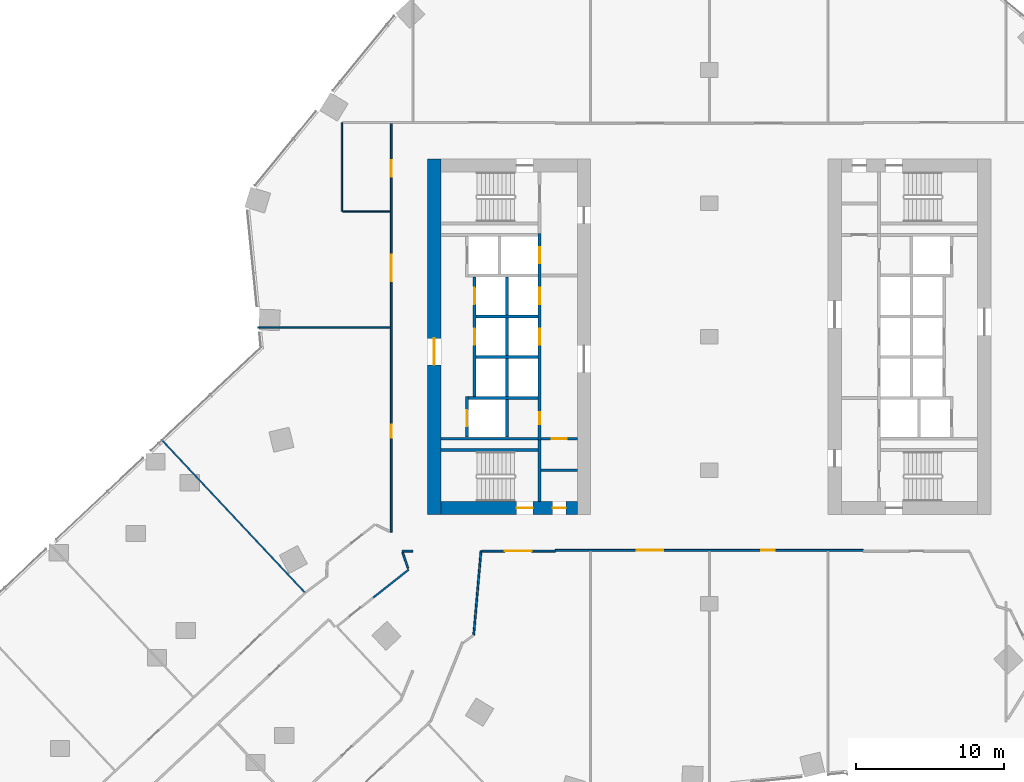
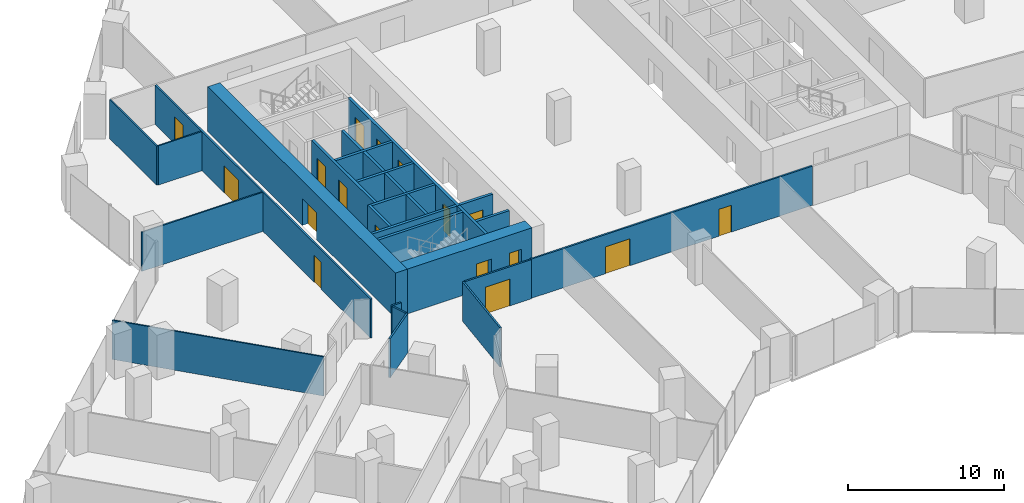
# One storey, part 28 of 34: 28 walls, 17 doors, 17 openings.
"""IFC4 building model written with IfcOpenShell, lengths in metres."""

from ifc_helpers import new_model, si_unit, direction, frame, frame_2d, origin, place, context, subcontext, project, spatial, rectangle, extrude, material, layer, layer_set, type_object, element, fill, save


model = new_model("IFC4")

# Units and contexts
model_context = context("Model", 3, precision=1e-05, world=origin(), true_north=direction((0.0, 1.0)))
body_context = subcontext(model_context, "Body", "Model", "MODEL_VIEW")
ifc_project = project(units=[si_unit("LENGTHUNIT", "METRE"), si_unit("AREAUNIT", "SQUARE_METRE"), si_unit("VOLUMEUNIT", "CUBIC_METRE"), si_unit("PLANEANGLEUNIT", "RADIAN"), si_unit("MASSUNIT", "GRAM", prefix="KILO")], contexts=[model_context])

# Site, building, storey
site_placement = place(None, origin())
site = spatial("IfcSite", under=ifc_project, at=site_placement, CompositionType="ELEMENT")
building_placement = place(site_placement, origin())
building = spatial("IfcBuilding", under=site, at=building_placement, Name="Orlundy Tower", CompositionType="ELEMENT")
storey_placement = place(building_placement, frame((0.0, 0.0, 40.800048828125)))
storey = spatial("IfcBuildingStorey", under=building, at=storey_placement, Name="L08", CompositionType="ELEMENT", Elevation=40.800048828125)

# Wall, openings, doors
ifc_material_1 = material(Name="Concrete C80/95", Category="concrete")
ifc_layer_1 = layer(ifc_material_1, 0.89990234375)
ifc_layer_set_1 = layer_set([ifc_layer_1], Name="CORE WALL 900 C80/95")
wall_type_1 = type_object("IfcWallType", Name="CORE WALL 900 C80/95", PredefinedType="SHEAR", material=ifc_layer_set_1)
wall_1_placement = place(storey_placement, frame((-18.10009765625, -11.550048828125, 0.0), z_axis=(0.0, 0.0, 1.0), x_axis=(1.0, 0.0, 0.0)))
wall_1 = element("IfcWall", 1, at=wall_1_placement, inside=storey, type_object=wall_type_1, Name="Core wall W-S L08", PredefinedType="SHEAR", context=body_context, shape_type="SweptSolid", body=[
    extrude(rectangle(XDim=9.2001953125, YDim=0.89990234375, at=frame_2d((4.60009765625, 0.0))), origin(), (0.0, 0.0, 1.0), 3.5),
])
opening_1_placement = place(wall_1_placement, frame((5.10009765625, 0.0, 0.0)))
opening_1 = element("IfcOpeningElement", 2, at=opening_1_placement, cuts=wall_1, Name="Opening 09013", PredefinedType="OPENING", context=body_context, shape_type="SweptSolid", body=[
    extrude(rectangle(XDim=1.10009765625, YDim=2.10009765625, at=frame_2d((0.550048828125, 1.050048828125))), frame((0.0, 0.4599609375, 0.0), z_axis=(0.0, -1.0, 0.0), x_axis=(1.0, 0.0, 0.0)), (0.0, 0.0, 1.0), 0.919921875),
])
opening_2_placement = place(wall_1_placement, frame((7.530029296875, 0.0, 0.0)))
opening_2 = element("IfcOpeningElement", 3, at=opening_2_placement, cuts=wall_1, Name="Opening 09015", PredefinedType="OPENING", context=body_context, shape_type="SweptSolid", body=[
    extrude(rectangle(XDim=0.89990234375, YDim=2.10009765625, at=frame_2d((0.449951171875, 1.050048828125))), frame((0.0, 0.4599609375, 0.0), z_axis=(0.0, -1.0, 0.0), x_axis=(1.0, 0.0, 0.0)), (0.0, 0.0, 1.0), 0.919921875),
])
ifc_material_2 = material(Name="Timber door set", Category="wood")
door_type_1 = type_object("IfcDoorType", Name="Room Door 900x2100", OperationType="SINGLE_SWING_LEFT", PredefinedType="DOOR", material=ifc_material_2)
door_1_placement = place(opening_2_placement, origin())
door_1 = element("IfcDoor", 4, at=door_1_placement, inside=storey, type_object=door_type_1, Name="Store door 09015", OperationType="SINGLE_SWING_RIGHT", OverallHeight=2.10009765625, OverallWidth=0.89990234375, PredefinedType="DOOR", context=body_context, shape_type="SweptSolid", body=[
    extrude(rectangle(XDim=0.89990234375, YDim=2.10009765625, at=frame_2d((0.449951171875, 1.050048828125))), frame((0.0, 0.02490234375, 0.0), z_axis=(0.0, -1.0, 0.0), x_axis=(1.0, 0.0, 0.0)), (0.0, 0.0, 1.0), 0.050048828125),
])
fill(opening_2, door_1)
ifc_material_3 = material(Name="Steel door set", Category="steel")
door_type_2 = type_object("IfcDoorType", Name="Stair Door 1100x2100", OperationType="SINGLE_SWING_LEFT", PredefinedType="DOOR", material=ifc_material_3)
door_2_placement = place(opening_1_placement, origin())
door_2 = element("IfcDoor", 5, at=door_2_placement, inside=storey, type_object=door_type_2, Name="Stair door 09013", OperationType="SINGLE_SWING_RIGHT", OverallHeight=2.10009765625, OverallWidth=1.10009765625, PredefinedType="DOOR", context=body_context, shape_type="SweptSolid", body=[
    extrude(rectangle(XDim=1.10009765625, YDim=2.10009765625, at=frame_2d((0.550048828125, 1.050048828125))), frame((0.0, 0.02490234375, 0.0), z_axis=(0.0, -1.0, 0.0), x_axis=(1.0, 0.0, 0.0)), (0.0, 0.0, 1.0), 0.050048828125),
])
fill(opening_1, door_2)

# Wall, opening, door
wall_2_placement = place(storey_placement, frame((-18.550048828125, -12.0, 0.0), z_axis=(0.0, 0.0, 1.0), x_axis=(0.0, 1.0, 0.0)))
wall_2 = element("IfcWall", 6, at=wall_2_placement, inside=storey, type_object=wall_type_1, Name="Core wall W-W L08", PredefinedType="SHEAR", context=body_context, shape_type="SweptSolid", body=[
    extrude(rectangle(XDim=24.0, YDim=0.89990234375, at=frame_2d((12.0, 0.0))), origin(), (0.0, 0.0, 1.0), 3.5),
])
opening_3_placement = place(wall_2_placement, frame((10.10009765625, 0.0, 0.0)))
opening_3 = element("IfcOpeningElement", 7, at=opening_3_placement, cuts=wall_2, Name="Opening 09010", PredefinedType="OPENING", context=body_context, shape_type="SweptSolid", body=[
    extrude(rectangle(XDim=1.800048828125, YDim=2.10009765625, at=frame_2d((0.89990234375, 1.050048828125))), frame((0.0, 0.4599609375, 0.0), z_axis=(0.0, -1.0, 0.0), x_axis=(1.0, 0.0, 0.0)), (0.0, 0.0, 1.0), 0.919921875),
])
ifc_material_4 = material(Name="Timber door set", Category="wood")
door_type_3 = type_object("IfcDoorType", Name="Lobby Door 1800x2100", OperationType="DOUBLE_DOOR_DOUBLE_SWING", PredefinedType="DOOR", material=ifc_material_4)
door_3_placement = place(opening_3_placement, origin())
door_3 = element("IfcDoor", 8, at=door_3_placement, inside=storey, type_object=door_type_3, Name="Lift lobby door 09010", OperationType="SINGLE_SWING_LEFT", OverallHeight=2.10009765625, OverallWidth=1.800048828125, PredefinedType="DOOR", context=body_context, shape_type="SweptSolid", body=[
    extrude(rectangle(XDim=1.800048828125, YDim=2.10009765625, at=frame_2d((0.89990234375, 1.050048828125))), frame((0.0, 0.02490234375, 0.0), z_axis=(0.0, -1.0, 0.0), x_axis=(1.0, 0.0, 0.0)), (0.0, 0.0, 1.0), 0.050048828125),
])
fill(opening_3, door_3)

# Walls
ifc_material_5 = material(Name="Gypsum board partition")
ifc_layer_2 = layer(ifc_material_5, 0.10009765625)
ifc_layer_set_2 = layer_set([ifc_layer_2], Name="Floor partition 100")
wall_type_2 = type_object("IfcWallType", Name="Floor partition 100", PredefinedType="PARTITIONING", material=ifc_layer_set_2)
wall_3_placement = place(storey_placement, frame((-36.969970703125, -6.912109375, 0.0), z_axis=(0.0, 0.0, 1.0), x_axis=(0.684148478852, -0.729342758163, 0.0)))
element("IfcWall", 9, at=wall_3_placement, inside=storey, type_object=wall_type_2, Name="wall-int-L08-016", PredefinedType="PARTITIONING", context=body_context, shape_type="SweptSolid", body=[
    extrude(rectangle(XDim=14.13720703125, YDim=0.10009765625, at=frame_2d((7.068603515625, 0.0))), origin(), (0.0, 0.0, 1.0), 3.06005859375),
])
wall_4_placement = place(storey_placement, frame((-30.4619140625, 0.635986328125, 0.0), z_axis=(0.0, 0.0, 1.0), x_axis=(1.0, 0.0, 0.0)))
element("IfcWall", 10, at=wall_4_placement, inside=storey, type_object=wall_type_2, Name="wall-int-L08-038", PredefinedType="PARTITIONING", context=body_context, shape_type="SweptSolid", body=[
    extrude(rectangle(XDim=8.949951171875, YDim=0.10009765625, at=frame_2d((4.47509765625, 0.0))), origin(), (0.0, 0.0, 1.0), 3.06005859375),
])
wall_5_placement = place(storey_placement, frame((-24.73193359375, 8.448974609375, 0.0), z_axis=(0.0, 0.0, 1.0), x_axis=(1.0, 0.0, 0.0)))
element("IfcWall", 11, at=wall_5_placement, inside=storey, type_object=wall_type_2, Name="wall-int-L08-040", PredefinedType="PARTITIONING", context=body_context, shape_type="SweptSolid", body=[
    extrude(rectangle(XDim=3.219970703125, YDim=0.10009765625, at=frame_2d((1.60986328125, 0.0))), origin(), (0.0, 0.0, 1.0), 3.06005859375),
])
wall_6_placement = place(storey_placement, frame((-24.781982421875, 8.448974609375, 0.0), z_axis=(0.0, 0.0, 1.0), x_axis=(0.0, 1.0, 0.0)))
element("IfcWall", 12, at=wall_6_placement, inside=storey, type_object=wall_type_2, Name="wall-int-L08-086", PredefinedType="PARTITIONING", context=body_context, shape_type="SweptSolid", body=[
    extrude(rectangle(XDim=6.0, YDim=0.10009765625, at=frame_2d((3.0, 0.0))), origin(), (0.0, 0.0, 1.0), 3.06005859375),
])
ifc_material_6 = material(Name="Gypsum board partition, double layer")
ifc_layer_3 = layer(ifc_material_6, 0.125)
ifc_layer_set_3 = layer_set([ifc_layer_3], Name="Floor partition 125")
wall_type_3 = type_object("IfcWallType", Name="Floor partition 125", PredefinedType="PARTITIONING", material=ifc_layer_set_3)
wall_7_placement = place(storey_placement, frame((-20.68408203125, -14.54296875, 0.0), z_axis=(0.0, 0.0, 1.0), x_axis=(0.32765097617, -0.944798834575, 0.0)))
element("IfcWall", 13, at=wall_7_placement, inside=storey, type_object=wall_type_3, Name="wall-int-L08-001", PredefinedType="PARTITIONING", context=body_context, shape_type="SweptSolid", body=[
    extrude(rectangle(XDim=1.132568359375, YDim=0.125, at=frame_2d((0.56640625, 0.0))), origin(), (0.0, 0.0, 1.0), 3.06005859375),
])
wall_8_placement = place(storey_placement, frame((-20.715087890625, -14.450927734375, 0.0), z_axis=(0.0, 0.0, 1.0), x_axis=(1.0, 0.0, 0.0)))
element("IfcWall", 14, at=wall_8_placement, inside=storey, type_object=wall_type_3, Name="wall-int-L08-033", PredefinedType="PARTITIONING", context=body_context, shape_type="SweptSolid", body=[
    extrude(rectangle(XDim=0.715087890625, YDim=0.125, at=frame_2d((0.357421875, 0.0))), origin(), (0.0, 0.0, 1.0), 3.06005859375),
])

# Wall, opening, door
wall_9_placement = place(storey_placement, frame((-10.39111328125, -14.450927734375, 0.0), z_axis=(0.0, 0.0, 1.0), x_axis=(-1.0, 0.0, 0.0)))
wall_9 = element("IfcWall", 15, at=wall_9_placement, inside=storey, type_object=wall_type_3, Name="wall-int-L08-034", PredefinedType="PARTITIONING", context=body_context, shape_type="SweptSolid", body=[
    extrude(rectangle(XDim=4.94677734375, YDim=0.125, at=frame_2d((2.473388671875, 0.0))), origin(), (0.0, 0.0, 1.0), 3.06005859375),
])
opening_4_placement = place(wall_9_placement, frame((1.60009765625, 0.0, 0.0)))
opening_4 = element("IfcOpeningElement", 16, at=opening_4_placement, cuts=wall_9, Name="Opening 09124", PredefinedType="OPENING", context=body_context, shape_type="SweptSolid", body=[
    extrude(rectangle(XDim=1.800048828125, YDim=2.10009765625, at=frame_2d((0.89990234375, 1.050048828125))), frame((0.0, 0.072509765625, 0.0), z_axis=(0.0, -1.0, 0.0), x_axis=(1.0, 0.0, 0.0)), (0.0, 0.0, 1.0), 0.14501953125),
])
ifc_material_7 = material(Name="Timber door leaf", Category="wood")
door_type_4 = type_object("IfcDoorType", Name="Floor door double 1800 FD30S", OperationType="NOTDEFINED", PredefinedType="DOOR", material=ifc_material_7)
door_4_placement = place(opening_4_placement, origin())
door_4 = element("IfcDoor", 17, at=door_4_placement, inside=storey, type_object=door_type_4, Name="Door 09124", OperationType="DOUBLE_DOOR_SINGLE_SWING", OverallHeight=2.10009765625, OverallWidth=1.800048828125, PredefinedType="DOOR", context=body_context, shape_type="SweptSolid", body=[
    extrude(rectangle(XDim=1.800048828125, YDim=2.10009765625, at=frame_2d((0.89990234375, 1.050048828125))), frame((0.0, 0.02490234375, 0.0), z_axis=(0.0, -1.0, 0.0), x_axis=(1.0, 0.0, 0.0)), (0.0, 0.0, 1.0), 0.050048828125),
])
fill(opening_4, door_4)

# Wall, openings, doors
wall_10_placement = place(storey_placement, frame((10.39111328125, -14.40087890625, 0.0), z_axis=(0.0, 0.0, 1.0), x_axis=(-1.0, 0.0, 0.0)))
wall_10 = element("IfcWall", 18, at=wall_10_placement, inside=storey, type_object=wall_type_3, Name="wall-int-L08-037", PredefinedType="PARTITIONING", context=body_context, shape_type="SweptSolid", body=[
    extrude(rectangle(XDim=20.781005859375, YDim=0.125, at=frame_2d((10.390625, 0.0))), origin(), (0.0, 0.0, 1.0), 3.06005859375),
])
opening_5_placement = place(wall_10_placement, frame((13.490966796875, 0.0, 0.0)))
opening_5 = element("IfcOpeningElement", 19, at=opening_5_placement, cuts=wall_10, Name="Opening 09125", PredefinedType="OPENING", context=body_context, shape_type="SweptSolid", body=[
    extrude(rectangle(XDim=1.800048828125, YDim=2.10009765625, at=frame_2d((0.89990234375, 1.050048828125))), frame((0.0, 0.072509765625, 0.0), z_axis=(0.0, -1.0, 0.0), x_axis=(1.0, 0.0, 0.0)), (0.0, 0.0, 1.0), 0.14501953125),
])
opening_6_placement = place(wall_10_placement, frame((5.990966796875, 0.0, 0.0)))
opening_6 = element("IfcOpeningElement", 20, at=opening_6_placement, cuts=wall_10, Name="Opening 09126", PredefinedType="OPENING", context=body_context, shape_type="SweptSolid", body=[
    extrude(rectangle(XDim=0.89990234375, YDim=2.10009765625, at=frame_2d((0.449951171875, 1.050048828125))), frame((0.0, 0.072509765625, 0.0), z_axis=(0.0, -1.0, 0.0), x_axis=(1.0, 0.0, 0.0)), (0.0, 0.0, 1.0), 0.14501953125),
])
door_5_placement = place(opening_5_placement, origin())
door_5 = element("IfcDoor", 21, at=door_5_placement, inside=storey, type_object=door_type_4, Name="Door 09125", OperationType="DOUBLE_DOOR_SINGLE_SWING", OverallHeight=2.10009765625, OverallWidth=1.800048828125, PredefinedType="DOOR", context=body_context, shape_type="SweptSolid", body=[
    extrude(rectangle(XDim=1.800048828125, YDim=2.10009765625, at=frame_2d((0.89990234375, 1.050048828125))), frame((0.0, 0.02490234375, 0.0), z_axis=(0.0, -1.0, 0.0), x_axis=(1.0, 0.0, 0.0)), (0.0, 0.0, 1.0), 0.050048828125),
])
fill(opening_5, door_5)
ifc_material_8 = material(Name="Timber door leaf", Category="wood")
door_type_5 = type_object("IfcDoorType", Name="Floor door single 900 FD30S", OperationType="NOTDEFINED", PredefinedType="DOOR", material=ifc_material_8)
door_6_placement = place(opening_6_placement, origin())
door_6 = element("IfcDoor", 22, at=door_6_placement, inside=storey, type_object=door_type_5, Name="Door 09126", OperationType="SINGLE_SWING_LEFT", OverallHeight=2.10009765625, OverallWidth=0.89990234375, PredefinedType="DOOR", context=body_context, shape_type="SweptSolid", body=[
    extrude(rectangle(XDim=0.89990234375, YDim=2.10009765625, at=frame_2d((0.449951171875, 1.050048828125))), frame((0.0, 0.02490234375, 0.0), z_axis=(0.0, -1.0, 0.0), x_axis=(1.0, 0.0, 0.0)), (0.0, 0.0, 1.0), 0.050048828125),
])
fill(opening_6, door_6)

# Walls
wall_11_placement = place(storey_placement, frame((-22.653076171875, -17.580078125, 0.0), z_axis=(0.0, 0.0, 1.0), x_axis=(0.784758802797, 0.619801275759, 0.0)))
element("IfcWall", 23, at=wall_11_placement, inside=storey, type_object=wall_type_3, Name="wall-int-L08-047", PredefinedType="PARTITIONING", context=body_context, shape_type="SweptSolid", body=[
    extrude(rectangle(XDim=3.025146484375, YDim=0.125, at=frame_2d((1.5126953125, 0.0))), origin(), (0.0, 0.0, 1.0), 3.06005859375),
])
wall_12_placement = place(storey_placement, frame((-15.89111328125, -20.113037109375, 0.0), z_axis=(0.0, 0.0, 1.0), x_axis=(0.086555508175, 0.996247029609, 0.0)))
element("IfcWall", 24, at=wall_12_placement, inside=storey, type_object=wall_type_3, Name="wall-int-L08-073", PredefinedType="PARTITIONING", context=body_context, shape_type="SweptSolid", body=[
    extrude(rectangle(XDim=5.686279296875, YDim=0.125, at=frame_2d((2.84326171875, 0.0))), origin(), (0.0, 0.0, 1.0), 3.06005859375),
])

# Wall, openings, doors
wall_13_placement = place(storey_placement, frame((-21.449951171875, -13.175048828125, 0.0), z_axis=(0.0, 0.0, 1.0), x_axis=(0.0, 1.0, 0.0)))
wall_13 = element("IfcWall", 25, at=wall_13_placement, inside=storey, type_object=wall_type_3, Name="wall-int-L08-085", PredefinedType="PARTITIONING", context=body_context, shape_type="SweptSolid", body=[
    extrude(rectangle(XDim=27.56103515625, YDim=0.125, at=frame_2d((13.780517578125, 0.0))), origin(), (0.0, 0.0, 1.0), 3.06005859375),
])
opening_7_placement = place(wall_13_placement, frame((6.35009765625, 0.0, 0.0)))
opening_7 = element("IfcOpeningElement", 26, at=opening_7_placement, cuts=wall_13, Name="Opening 09122", PredefinedType="OPENING", context=body_context, shape_type="SweptSolid", body=[
    extrude(rectangle(XDim=0.89990234375, YDim=2.10009765625, at=frame_2d((0.449951171875, 1.050048828125))), frame((0.0, 0.072509765625, 0.0), z_axis=(0.0, -1.0, 0.0), x_axis=(1.0, 0.0, 0.0)), (0.0, 0.0, 1.0), 0.14501953125),
])
opening_8_placement = place(wall_13_placement, frame((16.910888671875, 0.0, 0.0)))
opening_8 = element("IfcOpeningElement", 27, at=opening_8_placement, cuts=wall_13, Name="Opening 09135", PredefinedType="OPENING", context=body_context, shape_type="SweptSolid", body=[
    extrude(rectangle(XDim=1.800048828125, YDim=2.10009765625, at=frame_2d((0.89990234375, 1.050048828125))), frame((0.0, 0.072509765625, 0.0), z_axis=(0.0, -1.0, 0.0), x_axis=(1.0, 0.0, 0.0)), (0.0, 0.0, 1.0), 0.14501953125),
])
opening_9_placement = place(wall_13_placement, frame((23.97412109375, 0.0, 0.0)))
opening_9 = element("IfcOpeningElement", 28, at=opening_9_placement, cuts=wall_13, Name="Opening 09136", PredefinedType="OPENING", context=body_context, shape_type="SweptSolid", body=[
    extrude(rectangle(XDim=1.10009765625, YDim=2.10009765625, at=frame_2d((0.550048828125, 1.050048828125))), frame((0.0, 0.072509765625, 0.0), z_axis=(0.0, -1.0, 0.0), x_axis=(1.0, 0.0, 0.0)), (0.0, 0.0, 1.0), 0.14501953125),
])
door_7_placement = place(opening_8_placement, origin())
door_7 = element("IfcDoor", 29, at=door_7_placement, inside=storey, type_object=door_type_4, Name="Door 09135", OperationType="DOUBLE_DOOR_SINGLE_SWING", OverallHeight=2.10009765625, OverallWidth=1.800048828125, PredefinedType="DOOR", context=body_context, shape_type="SweptSolid", body=[
    extrude(rectangle(XDim=1.800048828125, YDim=2.10009765625, at=frame_2d((0.89990234375, 1.050048828125))), frame((0.0, 0.02490234375, 0.0), z_axis=(0.0, -1.0, 0.0), x_axis=(1.0, 0.0, 0.0)), (0.0, 0.0, 1.0), 0.050048828125),
])
fill(opening_8, door_7)
door_8_placement = place(opening_7_placement, origin())
door_8 = element("IfcDoor", 30, at=door_8_placement, inside=storey, type_object=door_type_5, Name="Door 09122", OperationType="SINGLE_SWING_LEFT", OverallHeight=2.10009765625, OverallWidth=0.89990234375, PredefinedType="DOOR", context=body_context, shape_type="SweptSolid", body=[
    extrude(rectangle(XDim=0.89990234375, YDim=2.10009765625, at=frame_2d((0.449951171875, 1.050048828125))), frame((0.0, 0.02490234375, 0.0), z_axis=(0.0, -1.0, 0.0), x_axis=(1.0, 0.0, 0.0)), (0.0, 0.0, 1.0), 0.050048828125),
])
fill(opening_7, door_8)
ifc_material_9 = material(Name="Timber door leaf", Category="wood")
door_type_6 = type_object("IfcDoorType", Name="Floor door xwide 1100 FD30S", OperationType="NOTDEFINED", PredefinedType="DOOR", material=ifc_material_9)
door_9_placement = place(opening_9_placement, origin())
door_9 = element("IfcDoor", 31, at=door_9_placement, inside=storey, type_object=door_type_6, Name="Door 09136", OperationType="SINGLE_SWING_RIGHT", OverallHeight=2.10009765625, OverallWidth=1.10009765625, PredefinedType="DOOR", context=body_context, shape_type="SweptSolid", body=[
    extrude(rectangle(XDim=1.10009765625, YDim=2.10009765625, at=frame_2d((0.550048828125, 1.050048828125))), frame((0.0, 0.02490234375, 0.0), z_axis=(0.0, -1.0, 0.0), x_axis=(1.0, 0.0, 0.0)), (0.0, 0.0, 1.0), 0.050048828125),
])
fill(opening_9, door_9)

# Walls
ifc_material_10 = material(Name="Concrete C40/50", Category="concrete")
ifc_layer_4 = layer(ifc_material_10, 0.199951171875)
ifc_layer_set_4 = layer_set([ifc_layer_4], Name="Load-bearing Shaft Wall 200")
wall_type_4 = type_object("IfcWallType", Name="Load-bearing Shaft Wall 200", PredefinedType="SOLIDWALL", material=ifc_layer_set_4)
wall_14_placement = place(storey_placement, frame((-11.43994140625, -11.10009765625, 0.0), z_axis=(0.0, 0.0, 1.0), x_axis=(0.0, 1.0, 0.0)))
element("IfcWall", 32, at=wall_14_placement, inside=storey, type_object=wall_type_4, Name="Shaft wall W09-stair-end-s", PredefinedType="SOLIDWALL", context=body_context, shape_type="SweptSolid", body=[
    extrude(rectangle(XDim=4.125, YDim=0.199951171875, at=frame_2d((2.0625, 0.0))), origin(), (0.0, 0.0, 1.0), 3.079833984375),
])
wall_15_placement = place(storey_placement, frame((-11.5400390625, -7.64990234375, 0.0), z_axis=(0.0, 0.0, 1.0), x_axis=(-1.0, 0.0, 0.0)))
element("IfcWall", 33, at=wall_15_placement, inside=storey, type_object=wall_type_4, Name="Shaft wall W09-stair-side-s", PredefinedType="SOLIDWALL", context=body_context, shape_type="SweptSolid", body=[
    extrude(rectangle(XDim=6.56005859375, YDim=0.199951171875, at=frame_2d((3.280029296875, 0.0))), origin(), (0.0, 0.0, 1.0), 3.079833984375),
])

# Wall, opening, door
ifc_material_11 = material(Name="Gypsum board partition on steel studs", Category="steel")
ifc_layer_5 = layer(ifc_material_11, 0.199951171875)
ifc_layer_set_5 = layer_set([ifc_layer_5], Name="Partition 200")
wall_type_5 = type_object("IfcWallType", Name="Partition 200", PredefinedType="PARTITIONING", material=ifc_layer_set_5)
wall_16_placement = place(storey_placement, frame((-8.89990234375, -6.875, 0.0), z_axis=(0.0, 0.0, 1.0), x_axis=(-1.0, 0.0, 0.0)))
wall_16 = element("IfcWall", 34, at=wall_16_placement, inside=storey, type_object=wall_type_5, Name="Partition wall W09-end-s", PredefinedType="PARTITIONING", context=body_context, shape_type="SweptSolid", body=[
    extrude(rectangle(XDim=2.440185546875, YDim=0.199951171875, at=frame_2d((1.22021484375, 0.0))), origin(), (0.0, 0.0, 1.0), 3.079833984375),
])
opening_10_placement = place(wall_16_placement, frame((0.719970703125, 0.0, 0.0)))
opening_10 = element("IfcOpeningElement", 35, at=opening_10_placement, cuts=wall_16, Name="Opening 09016", PredefinedType="OPENING", context=body_context, shape_type="SweptSolid", body=[
    extrude(rectangle(XDim=1.0, YDim=2.10009765625, at=frame_2d((0.5, 1.050048828125))), frame((0.0, 0.110107421875, 0.0), z_axis=(0.0, -1.0, 0.0), x_axis=(1.0, 0.0, 0.0)), (0.0, 0.0, 1.0), 0.22021484375),
])
ifc_material_12 = material(Name="Timber door set", Category="wood")
door_type_7 = type_object("IfcDoorType", Name="Accessible Door 1000x2100", OperationType="SINGLE_SWING_LEFT", PredefinedType="DOOR", material=ifc_material_12)
door_10_placement = place(opening_10_placement, origin())
door_10 = element("IfcDoor", 36, at=door_10_placement, inside=storey, type_object=door_type_7, Name="Accessible WC door 09016", OperationType="SINGLE_SWING_RIGHT", OverallHeight=2.10009765625, OverallWidth=1.0, PredefinedType="DOOR", context=body_context, shape_type="SweptSolid", body=[
    extrude(rectangle(XDim=1.0, YDim=2.10009765625, at=frame_2d((0.5, 1.050048828125))), frame((0.0, 0.02490234375, 0.0), z_axis=(0.0, -1.0, 0.0), x_axis=(1.0, 0.0, 0.0)), (0.0, 0.0, 1.0), 0.050048828125),
])
fill(opening_10, door_10)

# Walls
wall_17_placement = place(storey_placement, frame((-8.89990234375, -9.0, 0.0), z_axis=(0.0, 0.0, 1.0), x_axis=(-1.0, 0.0, 0.0)))
element("IfcWall", 37, at=wall_17_placement, inside=storey, type_object=wall_type_5, Name="Partition wall W09-room-s0", PredefinedType="PARTITIONING", context=body_context, shape_type="SweptSolid", body=[
    extrude(rectangle(XDim=2.440185546875, YDim=0.199951171875, at=frame_2d((1.22021484375, 0.0))), origin(), (0.0, 0.0, 1.0), 3.079833984375),
])
ifc_material_13 = material(Name="Fire-rated blockwork shaft wall", Category="masonry")
ifc_layer_6 = layer(ifc_material_13, 0.199951171875)
ifc_layer_set_6 = layer_set([ifc_layer_6], Name="Shaft Wall 200")
wall_type_6 = type_object("IfcWallType", Name="Shaft Wall 200", PredefinedType="SOLIDWALL", material=ifc_layer_set_6)
wall_18_placement = place(storey_placement, frame((-11.5400390625, -6.875, 0.0), z_axis=(0.0, 0.0, 1.0), x_axis=(-1.0, 0.0, 0.0)))
element("IfcWall", 38, at=wall_18_placement, inside=storey, type_object=wall_type_6, Name="Shaft wall W09-zone-s", PredefinedType="SOLIDWALL", context=body_context, shape_type="SweptSolid", body=[
    extrude(rectangle(XDim=6.56005859375, YDim=0.199951171875, at=frame_2d((3.280029296875, 0.0))), origin(), (0.0, 0.0, 1.0), 3.079833984375),
])
wall_19_placement = place(storey_placement, frame((-11.5400390625, -4.125, 0.0), z_axis=(0.0, 0.0, 1.0), x_axis=(-1.0, 0.0, 0.0)))
element("IfcWall", 39, at=wall_19_placement, inside=storey, type_object=wall_type_6, Name="Shaft wall W09-cross-4.125", PredefinedType="SOLIDWALL", context=body_context, shape_type="SweptSolid", body=[
    extrude(rectangle(XDim=4.699951171875, YDim=0.199951171875, at=frame_2d((2.35009765625, 0.0))), origin(), (0.0, 0.0, 1.0), 3.079833984375),
])
for number, where, z_axis, x_axis, name in (
    (40, (-11.5400390625, -1.375, 0.0), (0.0, 0.0, 1.0), (-1.0, 0.0, 0.0), "Shaft wall W09-cross-1.375"),
    (41, (-11.5400390625, 1.375, 0.0), (0.0, 0.0, 1.0), (-1.0, 0.0, 0.0), "Shaft wall W09-cross+1.375"),
):
    element("IfcWall", number, at=place(storey_placement, frame(where, z_axis=z_axis, x_axis=x_axis)), inside=storey, type_object=wall_type_6, Name=name, PredefinedType="SOLIDWALL", context=body_context, shape_type="SweptSolid", body=[
        extrude(rectangle(XDim=4.199951171875, YDim=0.199951171875, at=frame_2d((2.10009765625, 0.0))), origin(), (0.0, 0.0, 1.0), 3.079833984375),
    ])

# Wall, openings, doors
wall_20_placement = place(storey_placement, frame((-11.43994140625, -6.97509765625, 0.0), z_axis=(0.0, 0.0, 1.0), x_axis=(0.0, 1.0, 0.0)))
wall_20 = element("IfcWall", 42, at=wall_20_placement, inside=storey, type_object=wall_type_6, Name="Shaft wall W09-front-h", PredefinedType="SOLIDWALL", context=body_context, shape_type="SweptSolid", body=[
    extrude(rectangle(XDim=13.9501953125, YDim=0.199951171875, at=frame_2d((6.97509765625, 0.0))), origin(), (0.0, 0.0, 1.0), 3.079833984375),
])
opening_11_placement = place(wall_20_placement, frame((6.425048828125, 0.0, 0.0)))
opening_11 = element("IfcOpeningElement", 43, at=opening_11_placement, cuts=wall_20, Name="Opening 09002", PredefinedType="OPENING", context=body_context, shape_type="SweptSolid", body=[
    extrude(rectangle(XDim=1.10009765625, YDim=2.10009765625, at=frame_2d((0.550048828125, 1.050048828125))), frame((0.0, 0.110107421875, 0.0), z_axis=(0.0, -1.0, 0.0), x_axis=(1.0, 0.0, 0.0)), (0.0, 0.0, 1.0), 0.22021484375),
])
opening_12_placement = place(wall_20_placement, frame((9.175048828125, 0.0, 0.0)))
opening_12 = element("IfcOpeningElement", 44, at=opening_12_placement, cuts=wall_20, Name="Opening 09004", PredefinedType="OPENING", context=body_context, shape_type="SweptSolid", body=[
    extrude(rectangle(XDim=1.10009765625, YDim=2.10009765625, at=frame_2d((0.550048828125, 1.050048828125))), frame((0.0, 0.110107421875, 0.0), z_axis=(0.0, -1.0, 0.0), x_axis=(1.0, 0.0, 0.0)), (0.0, 0.0, 1.0), 0.22021484375),
])
opening_13_placement = place(wall_20_placement, frame((11.925048828125, 0.0, 0.0)))
opening_13 = element("IfcOpeningElement", 45, at=opening_13_placement, cuts=wall_20, Name="Opening 09006", PredefinedType="OPENING", context=body_context, shape_type="SweptSolid", body=[
    extrude(rectangle(XDim=1.10009765625, YDim=2.10009765625, at=frame_2d((0.550048828125, 1.050048828125))), frame((0.0, 0.110107421875, 0.0), z_axis=(0.0, -1.0, 0.0), x_axis=(1.0, 0.0, 0.0)), (0.0, 0.0, 1.0), 0.22021484375),
])
opening_14_placement = place(wall_20_placement, frame((1.074951171875, 0.0, 0.0)))
opening_14 = element("IfcOpeningElement", 46, at=opening_14_placement, cuts=wall_20, Name="Opening 09008", PredefinedType="OPENING", context=body_context, shape_type="SweptSolid", body=[
    extrude(rectangle(XDim=0.800048828125, YDim=2.10009765625, at=frame_2d((0.39990234375, 1.050048828125))), frame((0.0, 0.110107421875, 0.0), z_axis=(0.0, -1.0, 0.0), x_axis=(1.0, 0.0, 0.0)), (0.0, 0.0, 1.0), 0.22021484375),
])
ifc_material_14 = material(Name="Steel door set", Category="steel")
door_type_8 = type_object("IfcDoorType", Name="Landing Door 1100x2100", OperationType="DOUBLE_DOOR_SLIDING", PredefinedType="DOOR", material=ifc_material_14)
door_11_placement = place(opening_11_placement, origin())
door_11 = element("IfcDoor", 47, at=door_11_placement, inside=storey, type_object=door_type_8, Name="Lift landing door LP-05 09002", OperationType="DOUBLE_DOOR_SLIDING", OverallHeight=2.10009765625, OverallWidth=1.10009765625, PredefinedType="DOOR", context=body_context, shape_type="SweptSolid", body=[
    extrude(rectangle(XDim=1.10009765625, YDim=2.10009765625, at=frame_2d((0.550048828125, 1.050048828125))), frame((0.0, 0.02490234375, 0.0), z_axis=(0.0, -1.0, 0.0), x_axis=(1.0, 0.0, 0.0)), (0.0, 0.0, 1.0), 0.050048828125),
])
fill(opening_11, door_11)
door_12_placement = place(opening_12_placement, origin())
door_12 = element("IfcDoor", 48, at=door_12_placement, inside=storey, type_object=door_type_8, Name="Lift landing door LP-02 09004", OperationType="DOUBLE_DOOR_SLIDING", OverallHeight=2.10009765625, OverallWidth=1.10009765625, PredefinedType="DOOR", context=body_context, shape_type="SweptSolid", body=[
    extrude(rectangle(XDim=1.10009765625, YDim=2.10009765625, at=frame_2d((0.550048828125, 1.050048828125))), frame((0.0, 0.02490234375, 0.0), z_axis=(0.0, -1.0, 0.0), x_axis=(1.0, 0.0, 0.0)), (0.0, 0.0, 1.0), 0.050048828125),
])
fill(opening_12, door_12)
door_13_placement = place(opening_13_placement, origin())
door_13 = element("IfcDoor", 49, at=door_13_placement, inside=storey, type_object=door_type_8, Name="Lift landing door FL1 09006", OperationType="DOUBLE_DOOR_SLIDING", OverallHeight=2.10009765625, OverallWidth=1.10009765625, PredefinedType="DOOR", context=body_context, shape_type="SweptSolid", body=[
    extrude(rectangle(XDim=1.10009765625, YDim=2.10009765625, at=frame_2d((0.550048828125, 1.050048828125))), frame((0.0, 0.02490234375, 0.0), z_axis=(0.0, -1.0, 0.0), x_axis=(1.0, 0.0, 0.0)), (0.0, 0.0, 1.0), 0.050048828125),
])
fill(opening_13, door_13)
ifc_material_15 = material(Name="Timber door set", Category="wood")
door_type_9 = type_object("IfcDoorType", Name="Riser Door 800x2100", OperationType="SINGLE_SWING_LEFT", PredefinedType="DOOR", material=ifc_material_15)
door_14_placement = place(opening_14_placement, origin())
door_14 = element("IfcDoor", 50, at=door_14_placement, inside=storey, type_object=door_type_9, Name="Electrical Riser Room door 09008", OperationType="SINGLE_SWING_LEFT", OverallHeight=2.10009765625, OverallWidth=0.800048828125, PredefinedType="DOOR", context=body_context, shape_type="SweptSolid", body=[
    extrude(rectangle(XDim=0.800048828125, YDim=2.10009765625, at=frame_2d((0.39990234375, 1.050048828125))), frame((0.0, 0.02490234375, 0.0), z_axis=(0.0, -1.0, 0.0), x_axis=(1.0, 0.0, 0.0)), (0.0, 0.0, 1.0), 0.050048828125),
])
fill(opening_14, door_14)

# Walls
for number, where, z_axis, x_axis, name in (
    (51, (-13.639892578125, -6.77490234375, 0.0), (0.0, 0.0, 1.0), (0.0, 1.0, 0.0), "Shaft wall W09-mid-a"),
    (52, (-13.639892578125, -4.02490234375, 0.0), (0.0, 0.0, 1.0), (0.0, 1.0, 0.0), "Shaft wall W09-mid-a.1"),
    (53, (-13.639892578125, -1.27490234375, 0.0), (0.0, 0.0, 1.0), (0.0, 1.0, 0.0), "Shaft wall W09-mid-a.2"),
    (54, (-13.639892578125, 1.47509765625, 0.0), (0.0, 0.0, 1.0), (0.0, 1.0, 0.0), "Shaft wall W09-mid-a.3"),
):
    element("IfcWall", number, at=place(storey_placement, frame(where, z_axis=z_axis, x_axis=x_axis)), inside=storey, type_object=wall_type_6, Name=name, PredefinedType="SOLIDWALL", context=body_context, shape_type="SweptSolid", body=[
        extrude(rectangle(XDim=2.5498046875, YDim=0.199951171875, at=frame_2d((1.27490234375, 0.0))), origin(), (0.0, 0.0, 1.0), 3.079833984375),
    ])

# Wall, opening, door
wall_21_placement = place(storey_placement, frame((-16.340087890625, -6.77490234375, 0.0), z_axis=(0.0, 0.0, 1.0), x_axis=(0.0, 1.0, 0.0)))
wall_21 = element("IfcWall", 55, at=wall_21_placement, inside=storey, type_object=wall_type_6, Name="Shaft wall W09-front-o-a", PredefinedType="SOLIDWALL", context=body_context, shape_type="SweptSolid", body=[
    extrude(rectangle(XDim=2.75, YDim=0.199951171875, at=frame_2d((1.375, 0.0))), origin(), (0.0, 0.0, 1.0), 3.079833984375),
])
opening_15_placement = place(wall_21_placement, frame((0.72509765625, 0.0, 0.0)))
opening_15 = element("IfcOpeningElement", 56, at=opening_15_placement, cuts=wall_21, Name="Opening 09001", PredefinedType="OPENING", context=body_context, shape_type="SweptSolid", body=[
    extrude(rectangle(XDim=1.10009765625, YDim=2.10009765625, at=frame_2d((0.550048828125, 1.050048828125))), frame((0.0, 0.110107421875, 0.0), z_axis=(0.0, -1.0, 0.0), x_axis=(1.0, 0.0, 0.0)), (0.0, 0.0, 1.0), 0.22021484375),
])
door_15_placement = place(opening_15_placement, origin())
door_15 = element("IfcDoor", 57, at=door_15_placement, inside=storey, type_object=door_type_8, Name="Lift landing door LV-01 09001", OperationType="DOUBLE_DOOR_SLIDING", OverallHeight=2.10009765625, OverallWidth=1.10009765625, PredefinedType="DOOR", context=body_context, shape_type="SweptSolid", body=[
    extrude(rectangle(XDim=1.10009765625, YDim=2.10009765625, at=frame_2d((0.550048828125, 1.050048828125))), frame((0.0, 0.02490234375, 0.0), z_axis=(0.0, -1.0, 0.0), x_axis=(1.0, 0.0, 0.0)), (0.0, 0.0, 1.0), 0.050048828125),
])
fill(opening_15, door_15)

# Wall, openings, doors
wall_22_placement = place(storey_placement, frame((-15.840087890625, -4.02490234375, 0.0), z_axis=(0.0, 0.0, 1.0), x_axis=(0.0, 1.0, 0.0)))
wall_22 = element("IfcWall", 58, at=wall_22_placement, inside=storey, type_object=wall_type_6, Name="Shaft wall W09-front-o-b", PredefinedType="SOLIDWALL", context=body_context, shape_type="SweptSolid", body=[
    extrude(rectangle(XDim=8.0498046875, YDim=0.199951171875, at=frame_2d((4.02490234375, 0.0))), origin(), (0.0, 0.0, 1.0), 3.079833984375),
])
opening_16_placement = place(wall_22_placement, frame((3.47509765625, 0.0, 0.0)))
opening_16 = element("IfcOpeningElement", 59, at=opening_16_placement, cuts=wall_22, Name="Opening 09003", PredefinedType="OPENING", context=body_context, shape_type="SweptSolid", body=[
    extrude(rectangle(XDim=1.10009765625, YDim=2.10009765625, at=frame_2d((0.550048828125, 1.050048828125))), frame((0.0, 0.110107421875, 0.0), z_axis=(0.0, -1.0, 0.0), x_axis=(1.0, 0.0, 0.0)), (0.0, 0.0, 1.0), 0.22021484375),
])
opening_17_placement = place(wall_22_placement, frame((6.22509765625, 0.0, 0.0)))
opening_17 = element("IfcOpeningElement", 60, at=opening_17_placement, cuts=wall_22, Name="Opening 09005", PredefinedType="OPENING", context=body_context, shape_type="SweptSolid", body=[
    extrude(rectangle(XDim=1.10009765625, YDim=2.10009765625, at=frame_2d((0.550048828125, 1.050048828125))), frame((0.0, 0.110107421875, 0.0), z_axis=(0.0, -1.0, 0.0), x_axis=(1.0, 0.0, 0.0)), (0.0, 0.0, 1.0), 0.22021484375),
])
door_16_placement = place(opening_16_placement, origin())
door_16 = element("IfcDoor", 61, at=door_16_placement, inside=storey, type_object=door_type_8, Name="Lift landing door LP-01 09003", OperationType="DOUBLE_DOOR_SLIDING", OverallHeight=2.10009765625, OverallWidth=1.10009765625, PredefinedType="DOOR", context=body_context, shape_type="SweptSolid", body=[
    extrude(rectangle(XDim=1.10009765625, YDim=2.10009765625, at=frame_2d((0.550048828125, 1.050048828125))), frame((0.0, 0.02490234375, 0.0), z_axis=(0.0, -1.0, 0.0), x_axis=(1.0, 0.0, 0.0)), (0.0, 0.0, 1.0), 0.050048828125),
])
fill(opening_16, door_16)
door_17_placement = place(opening_17_placement, origin())
door_17 = element("IfcDoor", 62, at=door_17_placement, inside=storey, type_object=door_type_8, Name="Lift landing door LP-03 09005", OperationType="DOUBLE_DOOR_SLIDING", OverallHeight=2.10009765625, OverallWidth=1.10009765625, PredefinedType="DOOR", context=body_context, shape_type="SweptSolid", body=[
    extrude(rectangle(XDim=1.10009765625, YDim=2.10009765625, at=frame_2d((0.550048828125, 1.050048828125))), frame((0.0, 0.02490234375, 0.0), z_axis=(0.0, -1.0, 0.0), x_axis=(1.0, 0.0, 0.0)), (0.0, 0.0, 1.0), 0.050048828125),
])
fill(opening_17, door_17)

save(model, "model.ifc")
